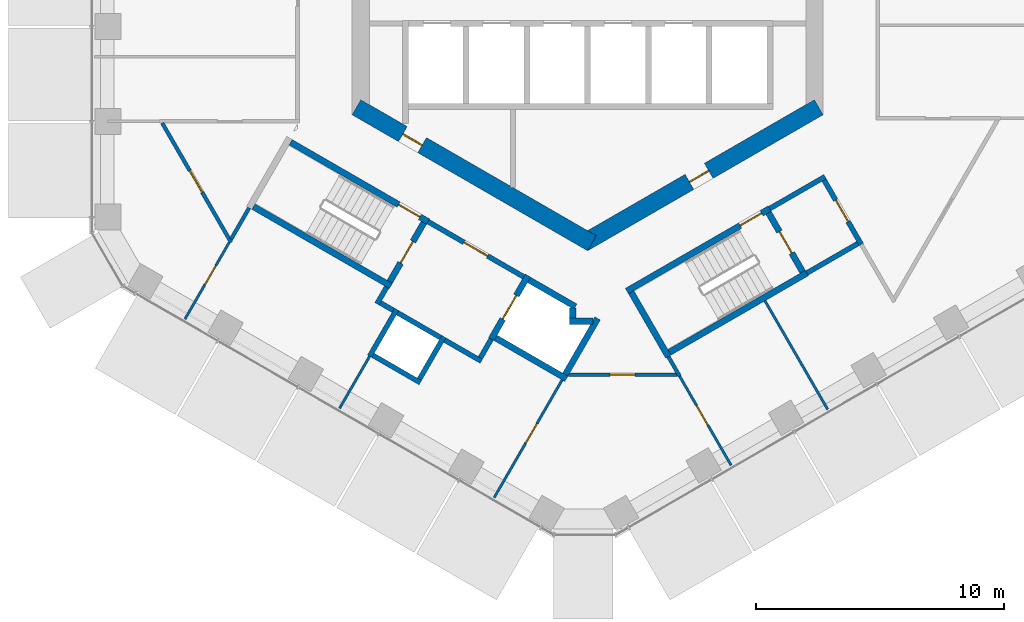
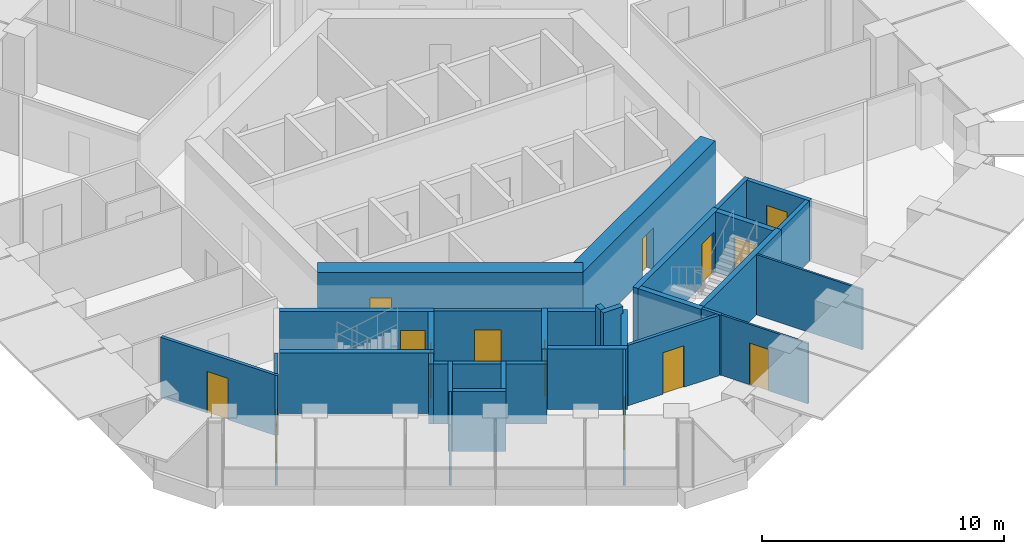
# One storey, part 12 of 18: 36 walls, 14 doors, 14 openings.
"""IFC4 building model written with IfcOpenShell, lengths in metres."""

import ifcopenshell
import ifcopenshell.guid

model = None  # the IFC model being written
_history = None  # IfcOwnerHistory: only IFC2X3 demands one
_inside = {}  # id of a spatial element -> (the spatial element, [elements in it])
_under = {}  # id of a project, library or spatial element -> (it, [spatial elements below it])
_declared = {}  # id of a project -> (the project, [libraries it declares])
_typed = {}  # id of a type object -> (the type object, [elements of that type])
_made_of = {}  # id of a material, layer set ... -> (it, [elements and type objects made of it])


def new_model(schema):
    """Start an empty IFC model of exactly this schema.

    Asked for "IFC4X3", IfcOpenShell would pick the latest addendum, in which some entities
    have other attributes; the version numbers below select the first issue.
    IFC2X3 requires an IfcOwnerHistory on every rooted entity: one is made here for all.
    """
    global model, _history
    if schema == "IFC4X3":
        model = ifcopenshell.file(schema_version=(4, 3, 0, 0))
    else:
        model = ifcopenshell.file(schema=schema)
    _inside.clear()
    _under.clear()
    _declared.clear()
    _typed.clear()
    _made_of.clear()
    _history = None
    if model.schema == "IFC2X3":
        org = make("IfcOrganization", Name="unknown")
        user = make(
            "IfcPersonAndOrganization",
            ThePerson=make("IfcPerson", FamilyName="unknown"),
            TheOrganization=org,
        )
        app = make(
            "IfcApplication",
            ApplicationDeveloper=org,
            Version="unknown",
            ApplicationFullName="unknown",
            ApplicationIdentifier="unknown",
        )
        _history = make(
            "IfcOwnerHistory",
            OwningUser=user,
            OwningApplication=app,
            ChangeAction="ADDED",
            CreationDate=0,
        )
    return model


def make(cls, **values):
    """One entity of the class cls with the attributes given. An attribute that is None is left unset."""
    return model.create_entity(
        cls, **{name: value for name, value in values.items() if value is not None}
    )


def rooted(cls, **values):
    """An entity with a GlobalId (a new one), such as an element, a storey or a relation."""
    return make(cls, GlobalId=ifcopenshell.guid.new(), OwnerHistory=_history, **values)


def si_unit(unit_type, name, prefix=None):
    """IfcSIUnit, for example si_unit("LENGTHUNIT", "METRE", prefix="MILLI")."""
    return make("IfcSIUnit", UnitType=unit_type, Prefix=prefix, Name=name)


def assignment(units):
    """IfcUnitAssignment: the units of a project."""
    return None if units is None else make("IfcUnitAssignment", Units=units)


def point(xyz):
    """IfcCartesianPoint."""
    return None if xyz is None else make("IfcCartesianPoint", Coordinates=xyz)


def direction(xyz):
    """IfcDirection."""
    return None if xyz is None else make("IfcDirection", DirectionRatios=xyz)


def frame(location, z_axis=None, x_axis=None):
    """IfcAxis2Placement3D, a coordinate frame: its origin and axes. An axis left out is left unset."""
    return make(
        "IfcAxis2Placement3D",
        Location=point(location),
        Axis=direction(z_axis),
        RefDirection=direction(x_axis),
    )


def frame_2d(location, x_axis=None):
    """IfcAxis2Placement2D, a coordinate frame in the plane: its origin and x axis."""
    return make(
        "IfcAxis2Placement2D", Location=point(location), RefDirection=direction(x_axis)
    )


def origin():
    """The frame at (0, 0, 0) with its axes left unset."""
    return frame((0.0, 0.0, 0.0))


def place(relative_to, where):
    """IfcLocalPlacement: puts the frame where relative to a parent placement (None: the world)."""
    return make(
        "IfcLocalPlacement", PlacementRelTo=relative_to, RelativePlacement=where
    )


def context(
    kind, dimensions, precision=None, world=None, true_north=None, identifier=None
):
    """IfcGeometricRepresentationContext, for example the 3D "Model" context."""
    return make(
        "IfcGeometricRepresentationContext",
        ContextIdentifier=identifier,
        ContextType=kind,
        CoordinateSpaceDimension=dimensions,
        Precision=precision,
        WorldCoordinateSystem=world,
        TrueNorth=true_north,
    )


def subcontext(parent, identifier, kind, view, scale=None):
    """IfcGeometricRepresentationSubContext, for example "Body" below "Model"."""
    return make(
        "IfcGeometricRepresentationSubContext",
        ContextIdentifier=identifier,
        ContextType=kind,
        ParentContext=parent,
        TargetScale=scale,
        TargetView=view,
    )


def project(units=None, contexts=None):
    """IfcProject with its units and contexts."""
    return rooted(
        "IfcProject",
        Name="project",
        RepresentationContexts=contexts,
        UnitsInContext=assignment(units),
    )


def spatial(cls, under=None, at=None, **own):
    """A site, building, storey or space (cls), placed at a placement, below another one or the project."""
    s = rooted(cls, ObjectPlacement=at, **own)
    if under is not None:
        _under.setdefault(under.id(), (under, []))[1].append(s)
    return s


def profile(cls, at=None, kind="AREA", **sizes):
    """A parametric profile (cls). Its sizes go by their IFC names, for example OverallWidth=200.0."""
    return make(cls, ProfileType=kind, Position=at, **sizes)


def rectangle(**sizes):
    """IfcRectangleProfileDef."""
    return profile("IfcRectangleProfileDef", **sizes)


def extrude(swept, where, along, depth):
    """IfcExtrudedAreaSolid: the profile swept, set in the frame where, extruded along a direction by depth."""
    return make(
        "IfcExtrudedAreaSolid",
        SweptArea=swept,
        Position=where,
        ExtrudedDirection=direction(along),
        Depth=depth,
    )


def shape(context_of_items, identifier, shape_type, items):
    """IfcShapeRepresentation: the items that make up one representation, for example the "Body"."""
    return make(
        "IfcShapeRepresentation",
        ContextOfItems=context_of_items,
        RepresentationIdentifier=identifier,
        RepresentationType=shape_type,
        Items=items,
    )


def material(Name=None, Category=None):
    """IfcMaterial."""
    return make("IfcMaterial", Name=Name, Category=Category)


def layer(
    of_material, thickness, ventilated=None, Name=None, Category=None, Priority=None
):
    """IfcMaterialLayer: one layer of a wall or slab, of a material (None: an air gap)."""
    return make(
        "IfcMaterialLayer",
        Material=of_material,
        LayerThickness=thickness,
        IsVentilated=ventilated,
        Name=Name,
        Category=Category,
        Priority=Priority,
    )


def layer_set(layers, Name=None):
    """IfcMaterialLayerSet."""
    return make("IfcMaterialLayerSet", MaterialLayers=layers, LayerSetName=Name)


def made_of(thing, what):
    """Note that an element or type object is made of a material, layer set ...; save() writes the relation."""
    if what is not None:
        _made_of.setdefault(what.id(), (what, []))[1].append(thing)
    return thing


def type_object(cls, material=None, **own):
    """A type object (cls), such as IfcWallType, which elements share."""
    return made_of(rooted(cls, **own), material)


def element(
    cls,
    number,
    at=None,
    inside=None,
    cuts=None,
    type_object=None,
    material=None,
    context=None,
    identifier="Body",
    shape_type=None,
    held_by="IfcProductDefinitionShape",
    body=None,
    shapes=None,
    **own,
):
    """One element of the class cls, such as IfcWall. Its Tag is "e" and its number.

    at: its placement. inside: the storey or other place that contains it. cuts: it is an
    opening in that element (IfcRelVoidsElement). A single representation is given by context,
    identifier, shape_type and body (its items); several are given by shapes. held_by: the class
    of the entity that holds the representations. save() writes the other relations.
    """
    e = rooted(cls, Tag="e%d" % number, ObjectPlacement=at, **own)
    if body is not None:
        shapes = [shape(context, identifier, shape_type, body)]
    if shapes is not None:
        e.Representation = make(held_by, Representations=shapes)
    if inside is not None:
        _inside.setdefault(inside.id(), (inside, []))[1].append(e)
    if cuts is not None:
        rooted(
            "IfcRelVoidsElement", RelatingBuildingElement=cuts, RelatedOpeningElement=e
        )
    if type_object is not None:
        _typed.setdefault(type_object.id(), (type_object, []))[1].append(e)
    return made_of(e, material)


def fill(opening, filler):
    """IfcRelFillsElement: the door or window that sits in an opening."""
    return rooted(
        "IfcRelFillsElement",
        RelatingOpeningElement=opening,
        RelatedBuildingElement=filler,
    )


def aggregate(whole, parts):
    """IfcRelAggregates: a whole, such as a stair, and the parts it consists of."""
    return rooted("IfcRelAggregates", RelatingObject=whole, RelatedObjects=parts)


def save(model, path):
    """Write the relations noted so far, then the file.

    IfcRelAggregates (storeys below a building ...), IfcRelContainedInSpatialStructure (elements
    in a storey), IfcRelDefinesByType, IfcRelAssociatesMaterial and IfcRelDeclares: one each for
    every whole, place, type object, material and project.
    """
    for whole, parts in _under.values():
        aggregate(whole, parts)
    for where, things in _inside.values():
        rooted(
            "IfcRelContainedInSpatialStructure",
            RelatedElements=things,
            RelatingStructure=where,
        )
    for kind, things in _typed.values():
        rooted("IfcRelDefinesByType", RelatedObjects=things, RelatingType=kind)
    for what, things in _made_of.values():
        rooted("IfcRelAssociatesMaterial", RelatedObjects=things, RelatingMaterial=what)
    for by, libraries in _declared.values():
        rooted("IfcRelDeclares", RelatingContext=by, RelatedDefinitions=libraries)
    model.write(path)


model = new_model("IFC4")

# Units and contexts
model_context = context("Model", 3, precision=1e-05, world=origin(), true_north=direction((0.0, 1.0)))
body_context = subcontext(model_context, "Body", "Model", "MODEL_VIEW")
ifc_project = project(units=[si_unit("LENGTHUNIT", "METRE"), si_unit("AREAUNIT", "SQUARE_METRE"), si_unit("VOLUMEUNIT", "CUBIC_METRE"), si_unit("PLANEANGLEUNIT", "RADIAN"), si_unit("MASSUNIT", "GRAM", prefix="KILO")], contexts=[model_context])

# Site, building, storey
site_placement = place(None, origin())
site = spatial("IfcSite", under=ifc_project, at=site_placement, CompositionType="ELEMENT")
building_placement = place(site_placement, origin())
building = spatial("IfcBuilding", under=site, at=building_placement, Name="Ayvan Gate Tower", CompositionType="ELEMENT")
storey_placement = place(building_placement, frame((0.0, 0.0, 89.89990234375)))
storey = spatial("IfcBuildingStorey", under=building, at=storey_placement, Name="L23", CompositionType="ELEMENT", Elevation=89.89990234375)

# Wall, opening, door
ifc_material_1 = material(Name="Concrete C70/85", Category="concrete")
ifc_layer_1 = layer(ifc_material_1, 0.699951171875)
ifc_layer_set_1 = layer_set([ifc_layer_1], Name="Concrete C70/85")
wall_type_1 = type_object("IfcWallType", Name="Core wall 700 C70/85", PredefinedType="SHEAR", material=ifc_layer_set_1)
wall_1_placement = place(storey_placement, frame((-9.324951171875, -5.181640625, 0.0), z_axis=(0.0, 0.0, 1.0), x_axis=(0.866023993627, -0.500002442456, 0.0)))
wall_1 = element("IfcWall", 1, at=wall_1_placement, inside=storey, type_object=wall_type_1, Name="CORE-L23-4", PredefinedType="SHEAR", context=body_context, shape_type="SweptSolid", body=[
    extrude(rectangle(XDim=10.9697265625, YDim=0.699951171875, at=frame_2d((5.48486328125, 0.0))), origin(), (0.0, 0.0, 1.0), 3.400146484375),
])
opening_1_placement = place(wall_1_placement, frame((2.16259765625, 0.0, 0.0)))
opening_1 = element("IfcOpeningElement", 2, at=opening_1_placement, cuts=wall_1, Name="Opening L23-D39", PredefinedType="OPENING", context=body_context, shape_type="SweptSolid", body=[
    extrude(rectangle(XDim=0.89990234375, YDim=2.10009765625, at=frame_2d((0.449951171875, 1.050048828125))), frame((0.0, 0.35986328125, 0.0), z_axis=(0.0, -1.0, 0.0), x_axis=(1.0, 0.0, 0.0)), (0.0, 0.0, 1.0), 0.719970703125),
])
ifc_material_2 = material(Name="Timber door leaf", Category="wood")
door_type_1 = type_object("IfcDoorType", Name="DT-900", OperationType="NOTDEFINED", PredefinedType="DOOR", material=ifc_material_2)
door_1_placement = place(opening_1_placement, origin())
door_1 = element("IfcDoor", 3, at=door_1_placement, inside=storey, type_object=door_type_1, Name="CD-L23-39", OperationType="SINGLE_SWING_RIGHT", OverallHeight=2.10009765625, OverallWidth=0.89990234375, PredefinedType="DOOR", context=body_context, shape_type="SweptSolid", body=[
    extrude(rectangle(XDim=0.89990234375, YDim=2.10009765625, at=frame_2d((0.449951171875, 1.050048828125))), frame((0.0, 0.02490234375, 0.0), z_axis=(0.0, -1.0, 0.0), x_axis=(1.0, 0.0, 0.0)), (0.0, 0.0, 1.0), 0.050048828125),
])
fill(opening_1, door_1)

wall_2_placement = place(storey_placement, frame((-0.175048828125, -10.66650390625, 0.0), z_axis=(0.0, 0.0, 1.0), x_axis=(0.866023993627, 0.500002442456, 0.0)))
wall_2 = element("IfcWall", 4, at=wall_2_placement, inside=storey, type_object=wall_type_1, Name="CORE-L23-5", PredefinedType="SHEAR", context=body_context, shape_type="SweptSolid", body=[
    extrude(rectangle(XDim=10.9697265625, YDim=0.699951171875, at=frame_2d((5.48486328125, 0.0))), origin(), (0.0, 0.0, 1.0), 3.400146484375),
])
opening_2_placement = place(wall_2_placement, frame((4.943115234375, 0.0, 0.0)))
opening_2 = element("IfcOpeningElement", 5, at=opening_2_placement, cuts=wall_2, Name="Opening L23-D40", PredefinedType="OPENING", context=body_context, shape_type="SweptSolid", body=[
    extrude(rectangle(XDim=0.89990234375, YDim=2.10009765625, at=frame_2d((0.449951171875, 1.050048828125))), frame((0.0, 0.35986328125, 0.0), z_axis=(0.0, -1.0, 0.0), x_axis=(1.0, 0.0, 0.0)), (0.0, 0.0, 1.0), 0.719970703125),
])
door_2_placement = place(opening_2_placement, origin())
door_2 = element("IfcDoor", 6, at=door_2_placement, inside=storey, type_object=door_type_1, Name="CD-L23-40", OperationType="SINGLE_SWING_LEFT", OverallHeight=2.10009765625, OverallWidth=0.89990234375, PredefinedType="DOOR", context=body_context, shape_type="SweptSolid", body=[
    extrude(rectangle(XDim=0.89990234375, YDim=2.10009765625, at=frame_2d((0.449951171875, 1.050048828125))), frame((0.0, 0.02490234375, 0.0), z_axis=(0.0, -1.0, 0.0), x_axis=(1.0, 0.0, 0.0)), (0.0, 0.0, 1.0), 0.050048828125),
])
fill(opening_2, door_2)

ifc_material_3 = material(Name="Plasterboard on steel stud", Category="steel")
ifc_layer_2 = layer(ifc_material_3, 0.14990234375)
ifc_layer_set_2 = layer_set([ifc_layer_2], Name="Plasterboard on steel stud")
wall_type_2 = type_object("IfcWallType", Name="WT-CORR-150", PredefinedType="PARTITIONING", material=ifc_layer_set_2)
wall_3_placement = place(storey_placement, frame((-14.37744140625, -10.63232421875, 0.0), z_axis=(0.0, 0.0, 1.0), x_axis=(-0.500011304563, 0.866018876994, 0.0)))
wall_3 = element("IfcWall", 7, at=wall_3_placement, inside=storey, type_object=wall_type_2, Name="IW-L23-005", PredefinedType="PARTITIONING", context=body_context, shape_type="SweptSolid", body=[
    extrude(rectangle(XDim=5.560302734375, YDim=0.14990234375, at=frame_2d((2.7802734375, 0.0))), origin(), (0.0, 0.0, 1.0), 3.050048828125),
])
opening_3_placement = place(wall_3_placement, frame((2.3349609375, 0.0, 0.0)))
opening_3 = element("IfcOpeningElement", 8, at=opening_3_placement, cuts=wall_3, Name="Opening L23-D28", PredefinedType="OPENING", context=body_context, shape_type="SweptSolid", body=[
    extrude(rectangle(XDim=1.0, YDim=2.10009765625, at=frame_2d((0.5, 1.050048828125))), frame((0.0, 0.0849609375, 0.0), z_axis=(0.0, -1.0, 0.0), x_axis=(1.0, 0.0, 0.0)), (0.0, 0.0, 1.0), 0.169921875),
])
door_type_2 = type_object("IfcDoorType", Name="DT-1000", OperationType="NOTDEFINED", PredefinedType="DOOR", material=ifc_material_2)
door_3_placement = place(opening_3_placement, origin())
door_3 = element("IfcDoor", 9, at=door_3_placement, inside=storey, type_object=door_type_2, Name="ID-L23-028", OperationType="SINGLE_SWING_LEFT", OverallHeight=2.10009765625, OverallWidth=1.0, PredefinedType="DOOR", context=body_context, shape_type="SweptSolid", body=[
    extrude(rectangle(XDim=1.0, YDim=2.10009765625, at=frame_2d((0.5, 1.050048828125))), frame((0.0, 0.02490234375, 0.0), z_axis=(0.0, -1.0, 0.0), x_axis=(1.0, 0.0, 0.0)), (0.0, 0.0, 1.0), 0.050048828125),
])
fill(opening_3, door_3)

# Walls
wall_4_placement = place(storey_placement, frame((-13.647705078125, -9.23876953125, 0.0), z_axis=(0.0, 0.0, 1.0), x_axis=(-0.500079678529, -0.865979396477, 0.0)))
element("IfcWall", 10, at=wall_4_placement, inside=storey, type_object=wall_type_2, Name="IW-L23-011", PredefinedType="PARTITIONING", context=body_context, shape_type="SweptSolid", body=[
    extrude(rectangle(XDim=1.459228515625, YDim=0.14990234375, at=frame_2d((0.7294921875, 0.0))), origin(), (0.0, 0.0, 1.0), 3.050048828125),
])
wall_5_placement = place(storey_placement, frame((3.255615234375, -15.23876953125, 0.0), z_axis=(0.0, 0.0, 1.0), x_axis=(0.499922376475, -0.866070215109, 0.0)))
element("IfcWall", 11, at=wall_5_placement, inside=storey, type_object=wall_type_2, Name="IW-L23-073", PredefinedType="PARTITIONING", context=body_context, shape_type="SweptSolid", body=[
    extrude(rectangle(XDim=0.916259765625, YDim=0.14990234375, at=frame_2d((0.4580078125, 0.0))), origin(), (0.0, 0.0, 1.0), 3.050048828125),
])

# Wall, opening, door
wall_6_placement = place(storey_placement, frame((3.601318359375, -15.96728515625, 0.0), z_axis=(0.0, 0.0, 1.0), x_axis=(-1.0, 0.0, 0.0)))
wall_6 = element("IfcWall", 12, at=wall_6_placement, inside=storey, type_object=wall_type_2, Name="IW-L23-075", PredefinedType="PARTITIONING", context=body_context, shape_type="SweptSolid", body=[
    extrude(rectangle(XDim=4.381103515625, YDim=0.14990234375, at=frame_2d((2.1904296875, 0.0))), origin(), (0.0, 0.0, 1.0), 3.050048828125),
])
opening_4_placement = place(wall_6_placement, frame((1.690673828125, 0.0, 0.0)))
opening_4 = element("IfcOpeningElement", 13, at=opening_4_placement, cuts=wall_6, Name="Opening L23-D30", PredefinedType="OPENING", context=body_context, shape_type="SweptSolid", body=[
    extrude(rectangle(XDim=1.0, YDim=2.10009765625, at=frame_2d((0.5, 1.050048828125))), frame((0.0, 0.0849609375, 0.0), z_axis=(0.0, -1.0, 0.0), x_axis=(1.0, 0.0, 0.0)), (0.0, 0.0, 1.0), 0.169921875),
])
door_4_placement = place(opening_4_placement, origin())
door_4 = element("IfcDoor", 14, at=door_4_placement, inside=storey, type_object=door_type_2, Name="ID-L23-030", OperationType="SINGLE_SWING_LEFT", OverallHeight=2.10009765625, OverallWidth=1.0, PredefinedType="DOOR", context=body_context, shape_type="SweptSolid", body=[
    extrude(rectangle(XDim=1.0, YDim=2.10009765625, at=frame_2d((0.5, 1.050048828125))), frame((0.0, 0.02490234375, 0.0), z_axis=(0.0, -1.0, 0.0), x_axis=(1.0, 0.0, 0.0)), (0.0, 0.0, 1.0), 0.050048828125),
])
fill(opening_4, door_4)

ifc_layer_3 = layer(ifc_material_3, 0.10009765625)
ifc_layer_set_3 = layer_set([ifc_layer_3], Name="Plasterboard on steel stud")
wall_type_3 = type_object("IfcWallType", Name="WT-PART-100", PredefinedType="PARTITIONING", material=ifc_layer_set_3)
wall_7_placement = place(storey_placement, frame((-14.452392578125, -10.63232421875, 0.0), z_axis=(0.0, 0.0, 1.0), x_axis=(-0.500012302351, -0.866018300902, 0.0)))
wall_7 = element("IfcWall", 15, at=wall_7_placement, inside=storey, type_object=wall_type_3, Name="IW-L23-006", PredefinedType="PARTITIONING", context=body_context, shape_type="SweptSolid", body=[
    extrude(rectangle(XDim=3.57275390625, YDim=0.10009765625, at=frame_2d((1.786376953125, 0.0))), origin(), (0.0, 0.0, 1.0), 3.050048828125),
])
opening_5_placement = place(wall_7_placement, frame((1.07568359375, 0.0, 0.0)))
opening_5 = element("IfcOpeningElement", 16, at=opening_5_placement, cuts=wall_7, Name="Opening L23-D29", PredefinedType="OPENING", context=body_context, shape_type="SweptSolid", body=[
    extrude(rectangle(XDim=0.89990234375, YDim=2.10009765625, at=frame_2d((0.449951171875, 1.050048828125))), frame((0.0, 0.06005859375, 0.0), z_axis=(0.0, -1.0, 0.0), x_axis=(1.0, 0.0, 0.0)), (0.0, 0.0, 1.0), 0.1201171875),
])
door_5_placement = place(opening_5_placement, origin())
door_5 = element("IfcDoor", 17, at=door_5_placement, inside=storey, type_object=door_type_1, Name="ID-L23-029", OperationType="SINGLE_SWING_RIGHT", OverallHeight=2.10009765625, OverallWidth=0.89990234375, PredefinedType="DOOR", context=body_context, shape_type="SweptSolid", body=[
    extrude(rectangle(XDim=0.89990234375, YDim=2.10009765625, at=frame_2d((0.449951171875, 1.050048828125))), frame((0.0, 0.02490234375, 0.0), z_axis=(0.0, -1.0, 0.0), x_axis=(1.0, 0.0, 0.0)), (0.0, 0.0, 1.0), 0.050048828125),
])
fill(opening_5, door_5)

# Wall
wall_8_placement = place(storey_placement, frame((-8.790283203125, -15.22509765625, 0.0), z_axis=(0.0, 0.0, 1.0), x_axis=(-0.50002442115, -0.866011303768, 0.0)))
element("IfcWall", 18, at=wall_8_placement, inside=storey, type_object=wall_type_3, Name="IW-L23-020", PredefinedType="PARTITIONING", context=body_context, shape_type="SweptSolid", body=[
    extrude(rectangle(XDim=2.42626953125, YDim=0.10009765625, at=frame_2d((1.213134765625, 0.0))), origin(), (0.0, 0.0, 1.0), 3.050048828125),
])

# Wall, opening, door
wall_9_placement = place(storey_placement, frame((-3.767822265625, -20.92626953125, 0.0), z_axis=(0.0, 0.0, 1.0), x_axis=(0.499980760091, 0.866036511666, 0.0)))
wall_9 = element("IfcWall", 19, at=wall_9_placement, inside=storey, type_object=wall_type_3, Name="IW-L23-042", PredefinedType="PARTITIONING", context=body_context, shape_type="SweptSolid", body=[
    extrude(rectangle(XDim=5.481689453125, YDim=0.10009765625, at=frame_2d((2.74072265625, 0.0))), origin(), (0.0, 0.0, 1.0), 3.050048828125),
])
opening_6_placement = place(wall_9_placement, frame((2.55126953125, 0.0, 0.0)))
opening_6 = element("IfcOpeningElement", 20, at=opening_6_placement, cuts=wall_9, Name="Opening L23-D31", PredefinedType="OPENING", context=body_context, shape_type="SweptSolid", body=[
    extrude(rectangle(XDim=0.89990234375, YDim=2.10009765625, at=frame_2d((0.449951171875, 1.050048828125))), frame((0.0, 0.06005859375, 0.0), z_axis=(0.0, -1.0, 0.0), x_axis=(1.0, 0.0, 0.0)), (0.0, 0.0, 1.0), 0.1201171875),
])
door_6_placement = place(opening_6_placement, origin())
door_6 = element("IfcDoor", 21, at=door_6_placement, inside=storey, type_object=door_type_1, Name="ID-L23-031", OperationType="SINGLE_SWING_RIGHT", OverallHeight=2.10009765625, OverallWidth=0.89990234375, PredefinedType="DOOR", context=body_context, shape_type="SweptSolid", body=[
    extrude(rectangle(XDim=0.89990234375, YDim=2.10009765625, at=frame_2d((0.449951171875, 1.050048828125))), frame((0.0, 0.02490234375, 0.0), z_axis=(0.0, -1.0, 0.0), x_axis=(1.0, 0.0, 0.0)), (0.0, 0.0, 1.0), 0.050048828125),
])
fill(opening_6, door_6)

wall_10_placement = place(storey_placement, frame((3.713623046875, -16.0322265625, 0.0), z_axis=(0.0, 0.0, 1.0), x_axis=(0.500033333293, -0.866006157943, 0.0)))
wall_10 = element("IfcWall", 22, at=wall_10_placement, inside=storey, type_object=wall_type_3, Name="IW-L23-076", PredefinedType="PARTITIONING", context=body_context, shape_type="SweptSolid", body=[
    extrude(rectangle(XDim=4.146728515625, YDim=0.10009765625, at=frame_2d((2.0732421875, 0.0))), origin(), (0.0, 0.0, 1.0), 3.050048828125),
])
opening_7_placement = place(wall_10_placement, frame((1.36279296875, 0.0, 0.0)))
opening_7 = element("IfcOpeningElement", 23, at=opening_7_placement, cuts=wall_10, Name="Opening L23-D32", PredefinedType="OPENING", context=body_context, shape_type="SweptSolid", body=[
    extrude(rectangle(XDim=0.89990234375, YDim=2.10009765625, at=frame_2d((0.449951171875, 1.050048828125))), frame((0.0, 0.06005859375, 0.0), z_axis=(0.0, -1.0, 0.0), x_axis=(1.0, 0.0, 0.0)), (0.0, 0.0, 1.0), 0.1201171875),
])
door_7_placement = place(opening_7_placement, origin())
door_7 = element("IfcDoor", 24, at=door_7_placement, inside=storey, type_object=door_type_1, Name="ID-L23-032", OperationType="SINGLE_SWING_LEFT", OverallHeight=2.10009765625, OverallWidth=0.89990234375, PredefinedType="DOOR", context=body_context, shape_type="SweptSolid", body=[
    extrude(rectangle(XDim=0.89990234375, YDim=2.10009765625, at=frame_2d((0.449951171875, 1.050048828125))), frame((0.0, 0.02490234375, 0.0), z_axis=(0.0, -1.0, 0.0), x_axis=(1.0, 0.0, 0.0)), (0.0, 0.0, 1.0), 0.050048828125),
])
fill(opening_7, door_7)

# Walls
wall_11_placement = place(storey_placement, frame((7.152587890625, -12.98876953125, 0.0), z_axis=(0.0, 0.0, 1.0), x_axis=(0.500013255511, -0.866017750576, 0.0)))
element("IfcWall", 25, at=wall_11_placement, inside=storey, type_object=wall_type_3, Name="IW-L23-083", PredefinedType="PARTITIONING", context=body_context, shape_type="SweptSolid", body=[
    extrude(rectangle(XDim=5.062744140625, YDim=0.10009765625, at=frame_2d((2.53125, 0.0))), origin(), (0.0, 0.0, 1.0), 3.050048828125),
])
ifc_layer_4 = layer(ifc_material_3, 0.199951171875)
ifc_layer_set_4 = layer_set([ifc_layer_4], Name="Plasterboard on steel stud")
wall_type_4 = type_object("IfcWallType", Name="WT-PLUMB-200", PredefinedType="PLUMBINGWALL", material=ifc_layer_set_4)
wall_12_placement = place(storey_placement, frame((-8.790283203125, -15.225341796875, 0.0), z_axis=(0.0, 0.0, 1.0), x_axis=(0.500016430238, 0.866015917575, 0.0)))
element("IfcWall", 26, at=wall_12_placement, inside=storey, type_object=wall_type_4, Name="IW-L23-019", PredefinedType="PLUMBINGWALL", context=body_context, shape_type="SweptSolid", body=[
    extrude(rectangle(XDim=2.1806640625, YDim=0.199951171875, at=frame_2d((1.09033203125, 0.0))), origin(), (0.0, 0.0, 1.0), 3.050048828125),
])
wall_13_placement = place(storey_placement, frame((-6.748291015625, -16.288818359375, 0.0), z_axis=(0.0, 0.0, 1.0), x_axis=(-0.866035918664, 0.499981787252, 0.0)))
element("IfcWall", 27, at=wall_13_placement, inside=storey, type_object=wall_type_4, Name="IW-L23-029", PredefinedType="PLUMBINGWALL", context=body_context, shape_type="SweptSolid", body=[
    extrude(rectangle(XDim=2.2001953125, YDim=0.199951171875, at=frame_2d((1.10009765625, 0.0))), origin(), (0.0, 0.0, 1.0), 3.050048828125),
])
wall_14_placement = place(storey_placement, frame((-5.794677734375, -14.436767578125, 0.0), z_axis=(0.0, 0.0, 1.0), x_axis=(-0.499957196903, -0.866050114754, 0.0)))
element("IfcWall", 28, at=wall_14_placement, inside=storey, type_object=wall_type_4, Name="IW-L23-033", PredefinedType="PLUMBINGWALL", context=body_context, shape_type="SweptSolid", body=[
    extrude(rectangle(XDim=1.980712890625, YDim=0.199951171875, at=frame_2d((0.990234375, 0.0))), origin(), (0.0, 0.0, 1.0), 3.050048828125),
])
wall_15_placement = place(storey_placement, frame((-5.931396484375, -14.473388671875, 0.0), z_axis=(0.0, 0.0, 1.0), x_axis=(-0.866041268327, 0.499972520799, 0.0)))
element("IfcWall", 29, at=wall_15_placement, inside=storey, type_object=wall_type_4, Name="IW-L23-034", PredefinedType="PLUMBINGWALL", context=body_context, shape_type="SweptSolid", body=[
    extrude(rectangle(XDim=2.0, YDim=0.199951171875, at=frame_2d((1.0, 0.0))), origin(), (0.0, 0.0, 1.0), 3.050048828125),
])
ifc_layer_5 = layer(ifc_material_3, 0.199951171875)
ifc_layer_set_5 = layer_set([ifc_layer_5], Name="Plasterboard on steel stud")
wall_type_5 = type_object("IfcWallType", Name="WT-RATED-200", PredefinedType="PARTITIONING", material=ifc_layer_set_5)
wall_16_placement = place(storey_placement, frame((-8.492919921875, -13.110107421875, 0.0), z_axis=(0.0, 0.0, 1.0), x_axis=(0.500067724834, 0.865986299303, 0.0)))
element("IfcWall", 30, at=wall_16_placement, inside=storey, type_object=wall_type_5, Name="IW-L23-021", PredefinedType="PARTITIONING", context=body_context, shape_type="SweptSolid", body=[
    extrude(rectangle(XDim=0.775390625, YDim=0.199951171875, at=frame_2d((0.3876953125, 0.0))), origin(), (0.0, 0.0, 1.0), 3.050048828125),
])
wall_17_placement = place(storey_placement, frame((-7.83642578125, -13.373291015625, 0.0), z_axis=(0.0, 0.0, 1.0), x_axis=(-0.866232998003, 0.499640263761, 0.0)))
element("IfcWall", 31, at=wall_17_placement, inside=storey, type_object=wall_type_5, Name="IW-L23-023", PredefinedType="PARTITIONING", context=body_context, shape_type="SweptSolid", body=[
    extrude(rectangle(XDim=0.60009765625, YDim=0.199951171875, at=frame_2d((0.300048828125, 0.0))), origin(), (0.0, 0.0, 1.0), 3.050048828125),
])

# Wall, opening, door
wall_18_placement = place(storey_placement, frame((-6.4345703125, -9.794921875, 0.0), z_axis=(0.0, 0.0, 1.0), x_axis=(0.866012907634, -0.500021643343, 0.0)))
wall_18 = element("IfcWall", 32, at=wall_18_placement, inside=storey, type_object=wall_type_5, Name="IW-L23-031", PredefinedType="PARTITIONING", context=body_context, shape_type="SweptSolid", body=[
    extrude(rectangle(XDim=4.449951171875, YDim=0.199951171875, at=frame_2d((2.22509765625, 0.0))), origin(), (0.0, 0.0, 1.0), 3.050048828125),
])
opening_8_placement = place(wall_18_placement, frame((1.675048828125, 0.0, 0.0)))
opening_8 = element("IfcOpeningElement", 33, at=opening_8_placement, cuts=wall_18, Name="Opening L23-D12", PredefinedType="OPENING", context=body_context, shape_type="SweptSolid", body=[
    extrude(rectangle(XDim=1.10009765625, YDim=2.10009765625, at=frame_2d((0.550048828125, 1.050048828125))), frame((0.0, 0.10986328125, 0.0), z_axis=(0.0, -1.0, 0.0), x_axis=(1.0, 0.0, 0.0)), (0.0, 0.0, 1.0), 0.219970703125),
])
door_type_3 = type_object("IfcDoorType", Name="DT-1100", OperationType="NOTDEFINED", PredefinedType="DOOR", material=ifc_material_2)
door_8_placement = place(opening_8_placement, origin())
door_8 = element("IfcDoor", 34, at=door_8_placement, inside=storey, type_object=door_type_3, Name="ID-L23-012", OperationType="SINGLE_SWING_LEFT", OverallHeight=2.10009765625, OverallWidth=1.10009765625, PredefinedType="DOOR", context=body_context, shape_type="SweptSolid", body=[
    extrude(rectangle(XDim=1.10009765625, YDim=2.10009765625, at=frame_2d((0.550048828125, 1.050048828125))), frame((0.0, 0.02490234375, 0.0), z_axis=(0.0, -1.0, 0.0), x_axis=(1.0, 0.0, 0.0)), (0.0, 0.0, 1.0), 0.050048828125),
])
fill(opening_8, door_8)

# Walls
wall_19_placement = place(storey_placement, frame((-4.285888671875, -15.42333984375, 0.0), z_axis=(0.0, 0.0, 1.0), x_axis=(-0.866025371046, 0.500000056704, 0.0)))
element("IfcWall", 35, at=wall_19_placement, inside=storey, type_object=wall_type_5, Name="IW-L23-039", PredefinedType="PARTITIONING", context=body_context, shape_type="SweptSolid", body=[
    extrude(rectangle(XDim=1.7001953125, YDim=0.199951171875, at=frame_2d((0.85009765625, 0.0))), origin(), (0.0, 0.0, 1.0), 3.050048828125),
])
wall_20_placement = place(storey_placement, frame((-3.885009765625, -14.52880859375, 0.0), z_axis=(0.0, 0.0, 1.0), x_axis=(-0.499859285417, -0.866106630146, 0.0)))
element("IfcWall", 36, at=wall_20_placement, inside=storey, type_object=wall_type_5, Name="IW-L23-041", PredefinedType="PARTITIONING", context=body_context, shape_type="SweptSolid", body=[
    extrude(rectangle(XDim=0.875244140625, YDim=0.199951171875, at=frame_2d((0.4375, 0.0))), origin(), (0.0, 0.0, 1.0), 3.050048828125),
])
wall_21_placement = place(storey_placement, frame((7.343994140625, -9.27001953125, 0.0), z_axis=(0.0, 0.0, 1.0), x_axis=(0.866005588531, 0.500034319456, 0.0)))
element("IfcWall", 37, at=wall_21_placement, inside=storey, type_object=wall_type_5, Name="IW-L23-086", PredefinedType="PARTITIONING", context=body_context, shape_type="SweptSolid", body=[
    extrude(rectangle(XDim=2.574951171875, YDim=0.199951171875, at=frame_2d((1.28759765625, 0.0))), origin(), (0.0, 0.0, 1.0), 3.050048828125),
])

# Wall, opening, door
wall_22_placement = place(storey_placement, frame((9.537353515625, -8.119140625, 0.0), z_axis=(0.0, 0.0, 1.0), x_axis=(0.499990139034, -0.866031096941, 0.0)))
wall_22 = element("IfcWall", 38, at=wall_22_placement, inside=storey, type_object=wall_type_5, Name="IW-L23-094", PredefinedType="PARTITIONING", context=body_context, shape_type="SweptSolid", body=[
    extrude(rectangle(XDim=3.0, YDim=0.199951171875, at=frame_2d((1.5, 0.0))), origin(), (0.0, 0.0, 1.0), 3.050048828125),
])
opening_9_placement = place(wall_22_placement, frame((0.93505859375, 0.0, 0.0)))
opening_9 = element("IfcOpeningElement", 39, at=opening_9_placement, cuts=wall_22, Name="Opening L23-D15", PredefinedType="OPENING", context=body_context, shape_type="SweptSolid", body=[
    extrude(rectangle(XDim=1.0, YDim=2.10009765625, at=frame_2d((0.5, 1.050048828125))), frame((0.0, 0.10986328125, 0.0), z_axis=(0.0, -1.0, 0.0), x_axis=(1.0, 0.0, 0.0)), (0.0, 0.0, 1.0), 0.219970703125),
])
door_9_placement = place(opening_9_placement, origin())
door_9 = element("IfcDoor", 40, at=door_9_placement, inside=storey, type_object=door_type_2, Name="ID-L23-015", OperationType="SINGLE_SWING_RIGHT", OverallHeight=2.10009765625, OverallWidth=1.0, PredefinedType="DOOR", context=body_context, shape_type="SweptSolid", body=[
    extrude(rectangle(XDim=1.0, YDim=2.10009765625, at=frame_2d((0.5, 1.050048828125))), frame((0.0, 0.02490234375, 0.0), z_axis=(0.0, -1.0, 0.0), x_axis=(1.0, 0.0, 0.0)), (0.0, 0.0, 1.0), 0.050048828125),
])
fill(opening_9, door_9)

# Wall
wall_23_placement = place(storey_placement, frame((10.900634765625, -10.6806640625, 0.0), z_axis=(0.0, 0.0, 1.0), x_axis=(-0.866007538022, -0.500030943131, 0.0)))
element("IfcWall", 41, at=wall_23_placement, inside=storey, type_object=wall_type_5, Name="IW-L23-095", PredefinedType="PARTITIONING", context=body_context, shape_type="SweptSolid", body=[
    extrude(rectangle(XDim=2.374755859375, YDim=0.199951171875, at=frame_2d((1.1875, 0.0))), origin(), (0.0, 0.0, 1.0), 3.050048828125),
])

# Wall, opening, door
ifc_material_4 = material(Name="Concrete C50/60", Category="concrete")
ifc_layer_6 = layer(ifc_material_4, 0.25)
ifc_layer_set_6 = layer_set([ifc_layer_6], Name="Concrete C50/60")
wall_type_6 = type_object("IfcWallType", Name="WT-RC-250", PredefinedType="SHEAR", material=ifc_layer_set_6)
wall_24_placement = place(storey_placement, frame((-11.97705078125, -6.594970703125, 0.0), z_axis=(0.0, 0.0, 1.0), x_axis=(0.866025499775, -0.499999833739, 0.0)))
wall_24 = element("IfcWall", 42, at=wall_24_placement, inside=storey, type_object=wall_type_6, Name="IW-L23-013", PredefinedType="SHEAR", context=body_context, shape_type="SweptSolid", body=[
    extrude(rectangle(XDim=6.39990234375, YDim=0.25, at=frame_2d((3.199951171875, 0.0))), origin(), (0.0, 0.0, 1.0), 3.050048828125),
])
opening_10_placement = place(wall_24_placement, frame((5.02490234375, 0.0, 0.0)))
opening_10 = element("IfcOpeningElement", 43, at=opening_10_placement, cuts=wall_24, Name="Opening L23-D10", PredefinedType="OPENING", context=body_context, shape_type="SweptSolid", body=[
    extrude(rectangle(XDim=1.0, YDim=2.10009765625, at=frame_2d((0.5, 1.050048828125))), frame((0.0, 0.135009765625, 0.0), z_axis=(0.0, -1.0, 0.0), x_axis=(1.0, 0.0, 0.0)), (0.0, 0.0, 1.0), 0.27001953125),
])
door_10_placement = place(opening_10_placement, origin())
door_10 = element("IfcDoor", 44, at=door_10_placement, inside=storey, type_object=door_type_2, Name="ID-L23-010", OperationType="SINGLE_SWING_LEFT", OverallHeight=2.10009765625, OverallWidth=1.0, PredefinedType="DOOR", context=body_context, shape_type="SweptSolid", body=[
    extrude(rectangle(XDim=1.0, YDim=2.10009765625, at=frame_2d((0.5, 1.050048828125))), frame((0.0, 0.02490234375, 0.0), z_axis=(0.0, -1.0, 0.0), x_axis=(1.0, 0.0, 0.0)), (0.0, 0.0, 1.0), 0.050048828125),
])
fill(opening_10, door_10)

# Wall
wall_25_placement = place(storey_placement, frame((-7.9345703125, -12.39306640625, 0.0), z_axis=(0.0, 0.0, 1.0), x_axis=(-0.866025499775, 0.499999833739, 0.0)))
element("IfcWall", 45, at=wall_25_placement, inside=storey, type_object=wall_type_6, Name="IW-L23-022", PredefinedType="SHEAR", context=body_context, shape_type="SweptSolid", body=[
    extrude(rectangle(XDim=6.39990234375, YDim=0.25, at=frame_2d((3.199951171875, 0.0))), origin(), (0.0, 0.0, 1.0), 3.050048828125),
])

# Wall, opening, door
wall_26_placement = place(storey_placement, frame((-6.605224609375, -9.8408203125, 0.0), z_axis=(0.0, 0.0, 1.0), x_axis=(-0.499996545922, -0.866027397988, 0.0)))
wall_26 = element("IfcWall", 46, at=wall_26_placement, inside=storey, type_object=wall_type_6, Name="IW-L23-030", PredefinedType="SHEAR", context=body_context, shape_type="SweptSolid", body=[
    extrude(rectangle(XDim=2.75, YDim=0.25, at=frame_2d((1.375, 0.0))), origin(), (0.0, 0.0, 1.0), 3.050048828125),
])
opening_11_placement = place(wall_26_placement, frame((0.875, 0.0, 0.0)))
opening_11 = element("IfcOpeningElement", 47, at=opening_11_placement, cuts=wall_26, Name="Opening L23-D11", PredefinedType="OPENING", context=body_context, shape_type="SweptSolid", body=[
    extrude(rectangle(XDim=1.0, YDim=2.10009765625, at=frame_2d((0.5, 1.050048828125))), frame((0.0, 0.135009765625, 0.0), z_axis=(0.0, -1.0, 0.0), x_axis=(1.0, 0.0, 0.0)), (0.0, 0.0, 1.0), 0.27001953125),
])
door_11_placement = place(opening_11_placement, origin())
door_11 = element("IfcDoor", 48, at=door_11_placement, inside=storey, type_object=door_type_2, Name="ID-L23-011", OperationType="SINGLE_SWING_RIGHT", OverallHeight=2.10009765625, OverallWidth=1.0, PredefinedType="DOOR", context=body_context, shape_type="SweptSolid", body=[
    extrude(rectangle(XDim=1.0, YDim=2.10009765625, at=frame_2d((0.5, 1.050048828125))), frame((0.0, 0.02490234375, 0.0), z_axis=(0.0, -1.0, 0.0), x_axis=(1.0, 0.0, 0.0)), (0.0, 0.0, 1.0), 0.050048828125),
])
fill(opening_11, door_11)

wall_27_placement = place(storey_placement, frame((-2.409912109375, -11.97412109375, 0.0), z_axis=(0.0, 0.0, 1.0), x_axis=(-0.500001826776, -0.866024349092, 0.0)))
wall_27 = element("IfcWall", 49, at=wall_27_placement, inside=storey, type_object=wall_type_6, Name="IW-L23-049", PredefinedType="SHEAR", context=body_context, shape_type="SweptSolid", body=[
    extrude(rectangle(XDim=2.9501953125, YDim=0.25, at=frame_2d((1.47509765625, 0.0))), origin(), (0.0, 0.0, 1.0), 3.050048828125),
])
opening_12_placement = place(wall_27_placement, frame((0.925048828125, 0.0, 0.0)))
opening_12 = element("IfcOpeningElement", 50, at=opening_12_placement, cuts=wall_27, Name="Opening L23-LD-FF2", PredefinedType="OPENING", context=body_context, shape_type="SweptSolid", body=[
    extrude(rectangle(XDim=1.10009765625, YDim=2.10009765625, at=frame_2d((0.550048828125, 1.050048828125))), frame((0.0, 0.135009765625, 0.0), z_axis=(0.0, -1.0, 0.0), x_axis=(1.0, 0.0, 0.0)), (0.0, 0.0, 1.0), 0.27001953125),
])
ifc_material_5 = material(Name="Stainless steel landing door", Category="steel")
door_type_4 = type_object("IfcDoorType", Name="DT-LANDING-1100", OperationType="SLIDING_TO_LEFT", PredefinedType="DOOR", material=ifc_material_5)
door_12_placement = place(opening_12_placement, origin())
door_12 = element("IfcDoor", 51, at=door_12_placement, inside=storey, type_object=door_type_4, Name="ID-L23-013", OperationType="SLIDING_TO_LEFT", OverallHeight=2.10009765625, OverallWidth=1.10009765625, PredefinedType="DOOR", context=body_context, shape_type="SweptSolid", body=[
    extrude(rectangle(XDim=1.10009765625, YDim=2.10009765625, at=frame_2d((0.550048828125, 1.050048828125))), frame((0.0, 0.02490234375, 0.0), z_axis=(0.0, -1.0, 0.0), x_axis=(1.0, 0.0, 0.0)), (0.0, 0.0, 1.0), 0.050048828125),
])
fill(opening_12, door_12)

# Walls
wall_28_placement = place(storey_placement, frame((-2.3642578125, -12.14501953125, 0.0), z_axis=(0.0, 0.0, 1.0), x_axis=(0.86603892542, -0.499976579108, 0.0)))
element("IfcWall", 52, at=wall_28_placement, inside=storey, type_object=wall_type_6, Name="IW-L23-050", PredefinedType="SHEAR", context=body_context, shape_type="SweptSolid", body=[
    extrude(rectangle(XDim=2.162109375, YDim=0.25, at=frame_2d((1.0810546875, 0.0))), origin(), (0.0, 0.0, 1.0), 3.050048828125),
])
wall_29_placement = place(storey_placement, frame((-0.8564453125, -16.13330078125, 0.0), z_axis=(0.0, 0.0, 1.0), x_axis=(-0.866021716278, 0.500006386895, 0.0)))
element("IfcWall", 53, at=wall_29_placement, inside=storey, type_object=wall_type_6, Name="IW-L23-054", PredefinedType="SHEAR", context=body_context, shape_type="SweptSolid", body=[
    extrude(rectangle(XDim=3.2998046875, YDim=0.25, at=frame_2d((1.64990234375, 0.0))), origin(), (0.0, 0.0, 1.0), 3.050048828125),
])
wall_30_placement = place(storey_placement, frame((-0.902099609375, -15.96240234375, 0.0), z_axis=(0.0, 0.0, 1.0), x_axis=(0.499981517636, 0.866036074319, 0.0)))
element("IfcWall", 54, at=wall_30_placement, inside=storey, type_object=wall_type_6, Name="IW-L23-055", PredefinedType="SHEAR", context=body_context, shape_type="SweptSolid", body=[
    extrude(rectangle(XDim=2.6103515625, YDim=0.25, at=frame_2d((1.30517578125, 0.0))), origin(), (0.0, 0.0, 1.0), 3.050048828125),
])
wall_31_placement = place(storey_placement, frame((-0.72509765625, -13.81005859375, 0.0), z_axis=(0.0, 0.0, 1.0), x_axis=(1.0, 0.0, 0.0)))
element("IfcWall", 55, at=wall_31_placement, inside=storey, type_object=wall_type_6, Name="IW-L23-056", PredefinedType="SHEAR", context=body_context, shape_type="SweptSolid", body=[
    extrude(rectangle(XDim=0.940673828125, YDim=0.25, at=frame_2d((0.47021484375, 0.0))), origin(), (0.0, 0.0, 1.0), 3.400146484375),
])
wall_32_placement = place(storey_placement, frame((-0.60009765625, -13.28857421875, 0.0), z_axis=(0.0, 0.0, 1.0), x_axis=(0.0, -1.0, 0.0)))
element("IfcWall", 56, at=wall_32_placement, inside=storey, type_object=wall_type_6, Name="IW-L23-057", PredefinedType="SHEAR", context=body_context, shape_type="SweptSolid", body=[
    extrude(rectangle(XDim=0.396484375, YDim=0.25, at=frame_2d((0.1982421875, 0.0))), origin(), (0.0, 0.0, 1.0), 3.400146484375),
])

# Wall, opening, door
wall_33_placement = place(storey_placement, frame((1.584716796875, -12.594970703125, 0.0), z_axis=(0.0, 0.0, 1.0), x_axis=(0.866036417653, 0.499980922934, 0.0)))
wall_33 = element("IfcWall", 57, at=wall_33_placement, inside=storey, type_object=wall_type_6, Name="IW-L23-067", PredefinedType="SHEAR", context=body_context, shape_type="SweptSolid", body=[
    extrude(rectangle(XDim=6.650146484375, YDim=0.25, at=frame_2d((3.3251953125, 0.0))), origin(), (0.0, 0.0, 1.0), 3.050048828125),
])
opening_13_placement = place(wall_33_placement, frame((5.27490234375, 0.0, 0.0)))
opening_13 = element("IfcOpeningElement", 58, at=opening_13_placement, cuts=wall_33, Name="Opening L23-D14", PredefinedType="OPENING", context=body_context, shape_type="SweptSolid", body=[
    extrude(rectangle(XDim=1.0, YDim=2.10009765625, at=frame_2d((0.5, 1.050048828125))), frame((0.0, 0.135009765625, 0.0), z_axis=(0.0, -1.0, 0.0), x_axis=(1.0, 0.0, 0.0)), (0.0, 0.0, 1.0), 0.27001953125),
])
door_13_placement = place(opening_13_placement, origin())
door_13 = element("IfcDoor", 59, at=door_13_placement, inside=storey, type_object=door_type_2, Name="ID-L23-014", OperationType="SINGLE_SWING_LEFT", OverallHeight=2.10009765625, OverallWidth=1.0, PredefinedType="DOOR", context=body_context, shape_type="SweptSolid", body=[
    extrude(rectangle(XDim=1.0, YDim=2.10009765625, at=frame_2d((0.5, 1.050048828125))), frame((0.0, 0.02490234375, 0.0), z_axis=(0.0, -1.0, 0.0), x_axis=(1.0, 0.0, 0.0)), (0.0, 0.0, 1.0), 0.050048828125),
])
fill(opening_13, door_13)

# Walls
wall_34_placement = place(storey_placement, frame((3.255615234375, -15.23876953125, 0.0), z_axis=(0.0, 0.0, 1.0), x_axis=(-0.50002537861, 0.866010750942, 0.0)))
element("IfcWall", 60, at=wall_34_placement, inside=storey, type_object=wall_type_6, Name="IW-L23-074", PredefinedType="SHEAR", context=body_context, shape_type="SweptSolid", body=[
    extrude(rectangle(XDim=2.999755859375, YDim=0.25, at=frame_2d((1.5, 0.0))), origin(), (0.0, 0.0, 1.0), 3.050048828125),
])
wall_35_placement = place(storey_placement, frame((3.30126953125, -15.068115234375, 0.0), z_axis=(0.0, 0.0, 1.0), x_axis=(0.866035036182, 0.499983315828, 0.0)))
element("IfcWall", 61, at=wall_35_placement, inside=storey, type_object=wall_type_6, Name="IW-L23-084", PredefinedType="SHEAR", context=body_context, shape_type="SweptSolid", body=[
    extrude(rectangle(XDim=6.400146484375, YDim=0.25, at=frame_2d((3.2001953125, 0.0))), origin(), (0.0, 0.0, 1.0), 3.050048828125),
])

# Wall, opening, door
wall_36_placement = place(storey_placement, frame((7.298095703125, -9.44091796875, 0.0), z_axis=(0.0, 0.0, 1.0), x_axis=(0.500034990121, -0.866005201286, 0.0)))
wall_36 = element("IfcWall", 62, at=wall_36_placement, inside=storey, type_object=wall_type_6, Name="IW-L23-085", PredefinedType="SHEAR", context=body_context, shape_type="SweptSolid", body=[
    extrude(rectangle(XDim=2.749755859375, YDim=0.25, at=frame_2d((1.375, 0.0))), origin(), (0.0, 0.0, 1.0), 3.050048828125),
])
opening_14_placement = place(wall_36_placement, frame((0.875, 0.0, 0.0)))
opening_14 = element("IfcOpeningElement", 63, at=opening_14_placement, cuts=wall_36, Name="Opening L23-D16", PredefinedType="OPENING", context=body_context, shape_type="SweptSolid", body=[
    extrude(rectangle(XDim=1.0, YDim=2.10009765625, at=frame_2d((0.5, 1.050048828125))), frame((0.0, 0.135009765625, 0.0), z_axis=(0.0, -1.0, 0.0), x_axis=(1.0, 0.0, 0.0)), (0.0, 0.0, 1.0), 0.27001953125),
])
door_14_placement = place(opening_14_placement, origin())
door_14 = element("IfcDoor", 64, at=door_14_placement, inside=storey, type_object=door_type_2, Name="ID-L23-016", OperationType="SINGLE_SWING_LEFT", OverallHeight=2.10009765625, OverallWidth=1.0, PredefinedType="DOOR", context=body_context, shape_type="SweptSolid", body=[
    extrude(rectangle(XDim=1.0, YDim=2.10009765625, at=frame_2d((0.5, 1.050048828125))), frame((0.0, 0.02490234375, 0.0), z_axis=(0.0, -1.0, 0.0), x_axis=(1.0, 0.0, 0.0)), (0.0, 0.0, 1.0), 0.050048828125),
])
fill(opening_14, door_14)

save(model, "model.ifc")
